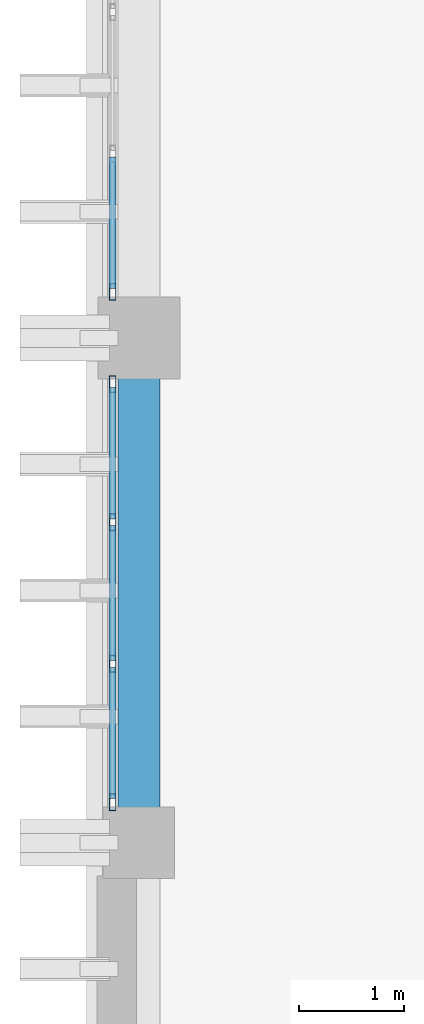
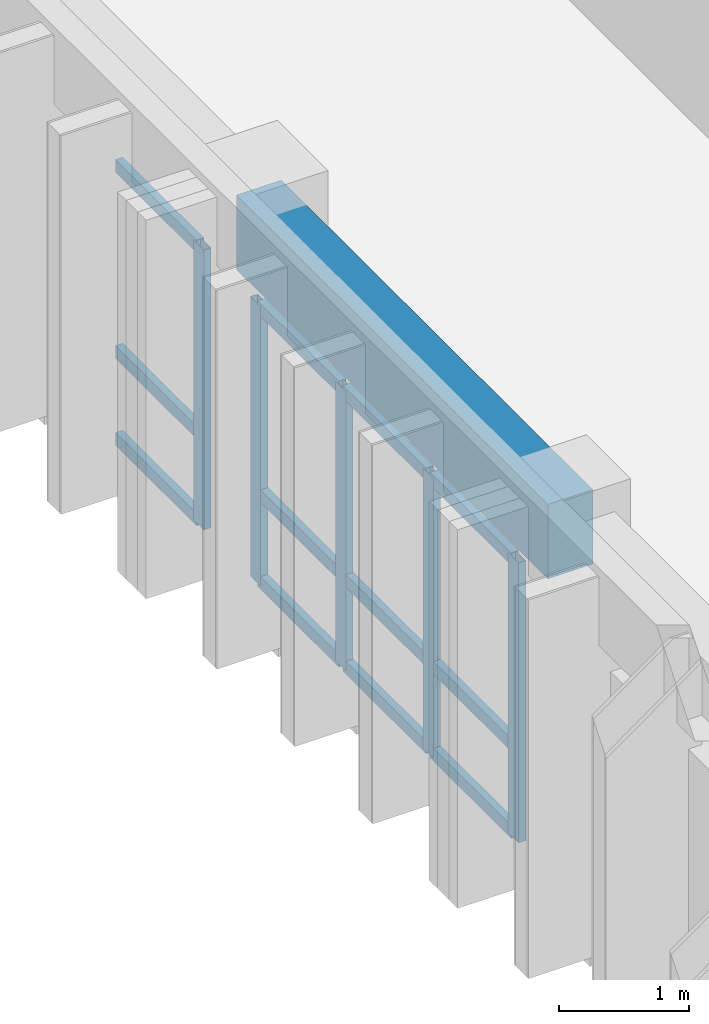
# One storey, part 27 of 68: 17 members, 1 beam, 2 elements without a shape of their own.
"""IFC4 building model written with IfcOpenShell, lengths in metres."""

from ifc_helpers import new_model, si_unit, direction, frame, origin, origin_2d, place, context, subcontext, project, spatial, rectangle, hollow_rectangle, extrude, material, layer, layer_set, material_profile, profile_set, type_object, element, aggregate, save


model = new_model("IFC4")

# Units and contexts
model_context = context("Model", 3, precision=1e-05, world=origin(), true_north=direction((0.0, 1.0)))
body_context = subcontext(model_context, "Body", "Model", "MODEL_VIEW")
ifc_project = project(units=[si_unit("LENGTHUNIT", "METRE"), si_unit("AREAUNIT", "SQUARE_METRE"), si_unit("VOLUMEUNIT", "CUBIC_METRE"), si_unit("PLANEANGLEUNIT", "RADIAN"), si_unit("MASSUNIT", "GRAM", prefix="KILO")], contexts=[model_context])

# Site, building, storey
site_placement = place(None, origin())
site = spatial("IfcSite", under=ifc_project, at=site_placement, CompositionType="ELEMENT")
building_placement = place(site_placement, origin())
building = spatial("IfcBuilding", under=site, at=building_placement, Name="Nakhvara Creek Congress Hotel", CompositionType="ELEMENT")
storey_placement = place(building_placement, frame((0.0, 0.0, 24.60009765625)))
storey = spatial("IfcBuildingStorey", under=building, at=storey_placement, Name="L05", CompositionType="ELEMENT", Elevation=24.60009765625)

# Beam
ifc_material_1 = material(Name="Concrete C40/50", Category="concrete")
ifc_material_profile_1 = material_profile(ifc_material_1, rectangle(XDim=0.39990234375, YDim=0.699951171875, at=origin_2d()), Name="RC-BM 400x700", Category="LoadBearing")
ifc_profile_set_1 = profile_set([ifc_material_profile_1], Name="Concrete C40/50")
beam_type = type_object("IfcBeamType", Name="BM-RC-400X700", PredefinedType="BEAM", material=ifc_profile_set_1)
beam_placement = place(storey_placement, frame((149.449951171875, 81.60009765625, 2.989990234375), z_axis=(0.0, 1.0, 0.0), x_axis=(-1.0, 0.0, 0.0)))
element("IfcBeam", 1, at=beam_placement, inside=storey, type_object=beam_type, Name="Beam B05-L05-2075", PredefinedType="BEAM", context=body_context, shape_type="SweptSolid", body=[
    extrude(rectangle(XDim=0.39990234375, YDim=0.699951171875, at=origin_2d()), origin(), (0.0, 0.0, 1.0), 4.7998046875),
])

# Curtain wall, members
ifc_material_2 = material(Name="Bronze-anodised aluminium AW-6063-T6 and double-silver low-E glass", Category="aluminium")
ifc_layer = layer(ifc_material_2, 0.199951171875)
ifc_layer_set = layer_set([ifc_layer], Name="Bronze-anodised aluminium AW-6063-T6 and double-silver low-E glass")
curtain_wall_type = type_object("IfcCurtainWallType", Name="CW-HTL-UNIT", PredefinedType="USERDEFINED", material=ifc_layer_set)
curtain_wall_1_placement = place(storey_placement, origin())
curtain_wall_1 = element("IfcCurtainWall", 2, at=curtain_wall_1_placement, inside=storey, type_object=curtain_wall_type, Name="Curtain Wall CW217", ObjectType="UNITISED", PredefinedType="USERDEFINED")
ifc_material_3 = material(Name="Bronze-anodised aluminium AW-6063-T6", Category="aluminium")
ifc_material_profile_2 = material_profile(ifc_material_3, hollow_rectangle(XDim=0.06494140625, YDim=0.159912109375, WallThickness=0.00390625, at=origin_2d()), Name="ALU-MULL 65x160x4", Category="LoadBearing")
ifc_profile_set_2 = profile_set([ifc_material_profile_2], Name="Bronze-anodised aluminium AW-6063-T6")
member_type_1 = type_object("IfcMemberType", Name="CW-MULL-160", PredefinedType="MULLION", material=ifc_profile_set_2)
member_1_placement = place(storey_placement, frame((149.199951171875, 81.987548828125, 0.0), z_axis=(0.0, 0.0, 1.0), x_axis=(-1.0, 0.0, 0.0)))
member_1 = element("IfcMember", 3, at=member_1_placement, type_object=member_type_1, Name="CW217 mullion 1", PredefinedType="MULLION", context=body_context, shape_type="SweptSolid", body=[
    extrude(hollow_rectangle(XDim=0.06494140625, YDim=0.159912109375, WallThickness=0.00390625, at=origin_2d()), origin(), (0.0, 0.0, 1.0), 2.6318359375),
])
member_2_placement = place(storey_placement, frame((149.199951171875, 83.3017578125, 0.0), z_axis=(0.0, 0.0, 1.0), x_axis=(-1.0, 0.0, 0.0)))
member_2 = element("IfcMember", 4, at=member_2_placement, type_object=member_type_1, Name="CW217 mullion 2", PredefinedType="MULLION", context=body_context, shape_type="SweptSolid", body=[
    extrude(hollow_rectangle(XDim=0.06494140625, YDim=0.159912109375, WallThickness=0.00390625, at=origin_2d()), origin(), (0.0, 0.0, 1.0), 2.6318359375),
])
member_3_placement = place(storey_placement, frame((149.199951171875, 84.6484375, 0.0), z_axis=(0.0, 0.0, 1.0), x_axis=(-1.0, 0.0, 0.0)))
member_3 = element("IfcMember", 5, at=member_3_placement, type_object=member_type_1, Name="CW217 mullion 3", PredefinedType="MULLION", context=body_context, shape_type="SweptSolid", body=[
    extrude(hollow_rectangle(XDim=0.06494140625, YDim=0.159912109375, WallThickness=0.00390625, at=origin_2d()), origin(), (0.0, 0.0, 1.0), 2.6318359375),
])
member_4_placement = place(storey_placement, frame((149.199951171875, 85.96240234375, 0.0), z_axis=(0.0, 0.0, 1.0), x_axis=(-1.0, 0.0, 0.0)))
member_4 = element("IfcMember", 6, at=member_4_placement, type_object=member_type_1, Name="CW217 mullion 4", PredefinedType="MULLION", context=body_context, shape_type="SweptSolid", body=[
    extrude(hollow_rectangle(XDim=0.06494140625, YDim=0.159912109375, WallThickness=0.00390625, at=origin_2d()), origin(), (0.0, 0.0, 1.0), 2.6318359375),
])

# Curtain wall, member
curtain_wall_2_placement = place(storey_placement, origin())
curtain_wall_2 = element("IfcCurtainWall", 7, at=curtain_wall_2_placement, inside=storey, type_object=curtain_wall_type, Name="Curtain Wall CW219", ObjectType="UNITISED", PredefinedType="USERDEFINED")
member_5_placement = place(storey_placement, frame((149.199951171875, 86.83740234375, 0.0), z_axis=(0.0, 0.0, 1.0), x_axis=(-1.0, 0.0, 0.0)))
member_5 = element("IfcMember", 8, at=member_5_placement, type_object=member_type_1, Name="CW219 mullion 1", PredefinedType="MULLION", context=body_context, shape_type="SweptSolid", body=[
    extrude(hollow_rectangle(XDim=0.06494140625, YDim=0.159912109375, WallThickness=0.00390625, at=origin_2d()), origin(), (0.0, 0.0, 1.0), 2.6318359375),
])

# Member
ifc_material_profile_3 = material_profile(ifc_material_3, hollow_rectangle(XDim=0.06494140625, YDim=0.1201171875, WallThickness=0.00390625, at=origin_2d()), Name="ALU-TRAN 65x120x4", Category="LoadBearing")
ifc_profile_set_3 = profile_set([ifc_material_profile_3], Name="Bronze-anodised aluminium AW-6063-T6")
member_type_2 = type_object("IfcMemberType", Name="CW-TRAN-120", PredefinedType="USERDEFINED", material=ifc_profile_set_3)
member_6_placement = place(storey_placement, frame((149.199951171875, 82.02001953125, 0.032470703125), z_axis=(0.0, 1.0, 0.0), x_axis=(-1.0, 0.0, 0.0)))
member_6 = element("IfcMember", 9, at=member_6_placement, type_object=member_type_2, Name="CW217 transom 1.1", ObjectType="TRANSOM", PredefinedType="USERDEFINED", context=body_context, shape_type="SweptSolid", body=[
    extrude(hollow_rectangle(XDim=0.06494140625, YDim=0.1201171875, WallThickness=0.00390625, at=origin_2d()), origin(), (0.0, 0.0, 1.0), 1.249267578125),
])

member_7_placement = place(storey_placement, frame((149.199951171875, 82.02001953125, 0.849853515625), z_axis=(0.0, 1.0, 0.0), x_axis=(-1.0, 0.0, 0.0)))
member_7 = element("IfcMember", 10, at=member_7_placement, type_object=member_type_2, Name="CW217 transom 1.2", ObjectType="TRANSOM", PredefinedType="USERDEFINED", context=body_context, shape_type="SweptSolid", body=[
    extrude(hollow_rectangle(XDim=0.06494140625, YDim=0.1201171875, WallThickness=0.00390625, at=origin_2d()), origin(), (0.0, 0.0, 1.0), 1.249267578125),
])

member_8_placement = place(storey_placement, frame((149.199951171875, 82.02001953125, 2.599365234375), z_axis=(0.0, 1.0, 0.0), x_axis=(-1.0, 0.0, 0.0)))
member_8 = element("IfcMember", 11, at=member_8_placement, type_object=member_type_2, Name="CW217 transom 1.3", ObjectType="TRANSOM", PredefinedType="USERDEFINED", context=body_context, shape_type="SweptSolid", body=[
    extrude(hollow_rectangle(XDim=0.06494140625, YDim=0.1201171875, WallThickness=0.00390625, at=origin_2d()), origin(), (0.0, 0.0, 1.0), 1.249267578125),
])

member_9_placement = place(storey_placement, frame((149.199951171875, 83.334228515625, 0.032470703125), z_axis=(0.0, 1.0, 0.0), x_axis=(-1.0, 0.0, 0.0)))
member_9 = element("IfcMember", 12, at=member_9_placement, type_object=member_type_2, Name="CW217 transom 2.1", ObjectType="TRANSOM", PredefinedType="USERDEFINED", context=body_context, shape_type="SweptSolid", body=[
    extrude(hollow_rectangle(XDim=0.06494140625, YDim=0.1201171875, WallThickness=0.00390625, at=origin_2d()), origin(), (0.0, 0.0, 1.0), 1.281494140625),
])

member_10_placement = place(storey_placement, frame((149.199951171875, 83.334228515625, 0.849853515625), z_axis=(0.0, 1.0, 0.0), x_axis=(-1.0, 0.0, 0.0)))
member_10 = element("IfcMember", 13, at=member_10_placement, type_object=member_type_2, Name="CW217 transom 2.2", ObjectType="TRANSOM", PredefinedType="USERDEFINED", context=body_context, shape_type="SweptSolid", body=[
    extrude(hollow_rectangle(XDim=0.06494140625, YDim=0.1201171875, WallThickness=0.00390625, at=origin_2d()), origin(), (0.0, 0.0, 1.0), 1.281494140625),
])

member_11_placement = place(storey_placement, frame((149.199951171875, 83.334228515625, 2.599365234375), z_axis=(0.0, 1.0, 0.0), x_axis=(-1.0, 0.0, 0.0)))
member_11 = element("IfcMember", 14, at=member_11_placement, type_object=member_type_2, Name="CW217 transom 2.3", ObjectType="TRANSOM", PredefinedType="USERDEFINED", context=body_context, shape_type="SweptSolid", body=[
    extrude(hollow_rectangle(XDim=0.06494140625, YDim=0.1201171875, WallThickness=0.00390625, at=origin_2d()), origin(), (0.0, 0.0, 1.0), 1.281494140625),
])

member_12_placement = place(storey_placement, frame((149.199951171875, 84.680908203125, 0.032470703125), z_axis=(0.0, 1.0, 0.0), x_axis=(-1.0, 0.0, 0.0)))
member_12 = element("IfcMember", 15, at=member_12_placement, type_object=member_type_2, Name="CW217 transom 3.1", ObjectType="TRANSOM", PredefinedType="USERDEFINED", context=body_context, shape_type="SweptSolid", body=[
    extrude(hollow_rectangle(XDim=0.06494140625, YDim=0.1201171875, WallThickness=0.00390625, at=origin_2d()), origin(), (0.0, 0.0, 1.0), 1.2490234375),
])

member_13_placement = place(storey_placement, frame((149.199951171875, 84.680908203125, 0.849853515625), z_axis=(0.0, 1.0, 0.0), x_axis=(-1.0, 0.0, 0.0)))
member_13 = element("IfcMember", 16, at=member_13_placement, type_object=member_type_2, Name="CW217 transom 3.2", ObjectType="TRANSOM", PredefinedType="USERDEFINED", context=body_context, shape_type="SweptSolid", body=[
    extrude(hollow_rectangle(XDim=0.06494140625, YDim=0.1201171875, WallThickness=0.00390625, at=origin_2d()), origin(), (0.0, 0.0, 1.0), 1.2490234375),
])

member_14_placement = place(storey_placement, frame((149.199951171875, 84.680908203125, 2.599365234375), z_axis=(0.0, 1.0, 0.0), x_axis=(-1.0, 0.0, 0.0)))
member_14 = element("IfcMember", 17, at=member_14_placement, type_object=member_type_2, Name="CW217 transom 3.3", ObjectType="TRANSOM", PredefinedType="USERDEFINED", context=body_context, shape_type="SweptSolid", body=[
    extrude(hollow_rectangle(XDim=0.06494140625, YDim=0.1201171875, WallThickness=0.00390625, at=origin_2d()), origin(), (0.0, 0.0, 1.0), 1.2490234375),
])

aggregate(curtain_wall_1, [member_1, member_2, member_3, member_4, member_6, member_7, member_8, member_9, member_10, member_11, member_12, member_13, member_14])

member_15_placement = place(storey_placement, frame((149.199951171875, 86.8701171875, 0.032470703125), z_axis=(0.0, 1.0, 0.0), x_axis=(-1.0, 0.0, 0.0)))
member_15 = element("IfcMember", 18, at=member_15_placement, type_object=member_type_2, Name="CW219 transom 1.1", ObjectType="TRANSOM", PredefinedType="USERDEFINED", context=body_context, shape_type="SweptSolid", body=[
    extrude(hollow_rectangle(XDim=0.06494140625, YDim=0.1201171875, WallThickness=0.00390625, at=origin_2d()), origin(), (0.0, 0.0, 1.0), 1.2490234375),
])

member_16_placement = place(storey_placement, frame((149.199951171875, 86.8701171875, 0.849853515625), z_axis=(0.0, 1.0, 0.0), x_axis=(-1.0, 0.0, 0.0)))
member_16 = element("IfcMember", 19, at=member_16_placement, type_object=member_type_2, Name="CW219 transom 1.2", ObjectType="TRANSOM", PredefinedType="USERDEFINED", context=body_context, shape_type="SweptSolid", body=[
    extrude(hollow_rectangle(XDim=0.06494140625, YDim=0.1201171875, WallThickness=0.00390625, at=origin_2d()), origin(), (0.0, 0.0, 1.0), 1.2490234375),
])

member_17_placement = place(storey_placement, frame((149.199951171875, 86.8701171875, 2.599365234375), z_axis=(0.0, 1.0, 0.0), x_axis=(-1.0, 0.0, 0.0)))
member_17 = element("IfcMember", 20, at=member_17_placement, type_object=member_type_2, Name="CW219 transom 1.3", ObjectType="TRANSOM", PredefinedType="USERDEFINED", context=body_context, shape_type="SweptSolid", body=[
    extrude(hollow_rectangle(XDim=0.06494140625, YDim=0.1201171875, WallThickness=0.00390625, at=origin_2d()), origin(), (0.0, 0.0, 1.0), 1.2490234375),
])

aggregate(curtain_wall_2, [member_5, member_15, member_16, member_17])

save(model, "model.ifc")
